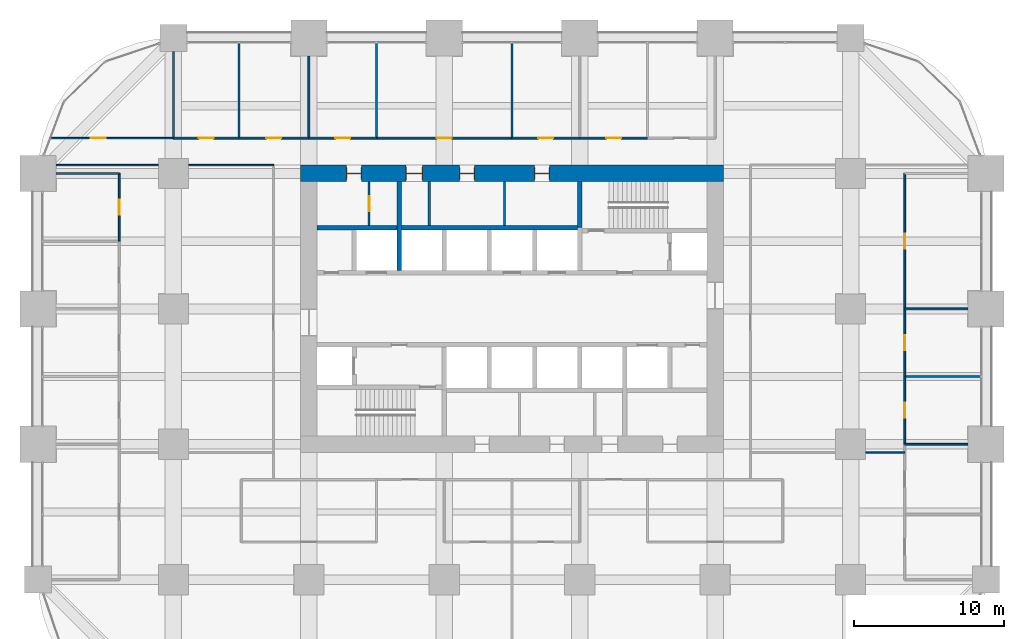
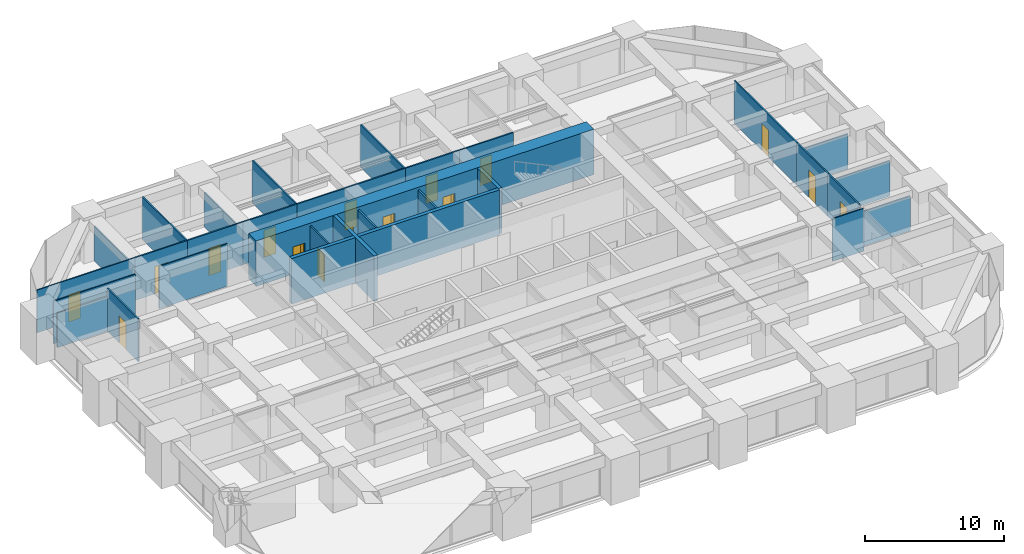
# One storey, part 38 of 41: 30 walls, 16 doors, 16 openings.
"""IFC4 building model written with IfcOpenShell, lengths in metres."""

from ifc_helpers import new_model, si_unit, direction, frame, frame_2d, origin, place, context, subcontext, project, spatial, rectangle, extrude, material, layer, layer_set, type_object, element, fill, save


model = new_model("IFC4")

# Units and contexts
model_context = context("Model", 3, precision=1e-05, world=origin(), true_north=direction((0.0, 1.0)))
body_context = subcontext(model_context, "Body", "Model", "MODEL_VIEW")
ifc_project = project(units=[si_unit("LENGTHUNIT", "METRE"), si_unit("AREAUNIT", "SQUARE_METRE"), si_unit("VOLUMEUNIT", "CUBIC_METRE"), si_unit("PLANEANGLEUNIT", "RADIAN"), si_unit("MASSUNIT", "GRAM", prefix="KILO")], contexts=[model_context])

# Site, building, storey
site_placement = place(None, origin())
site = spatial("IfcSite", under=ifc_project, at=site_placement, CompositionType="ELEMENT")
building_placement = place(site_placement, origin())
building = spatial("IfcBuilding", under=site, at=building_placement, Name="Zorevar Civic Tower", CompositionType="ELEMENT")
storey_placement = place(building_placement, frame((0.0, 0.0, 109.0)))
storey = spatial("IfcBuildingStorey", under=building, at=storey_placement, Name="L26", CompositionType="ELEMENT", Elevation=109.0)

# Wall, openings, doors
ifc_material_1 = material(Name="Concrete C50/60", Category="concrete")
ifc_layer_1 = layer(ifc_material_1, 1.10009765625)
ifc_layer_set_1 = layer_set([ifc_layer_1], Name="Core wall 1100")
wall_type_1 = type_object("IfcWallType", Name="Core wall 1100", PredefinedType="SHEAR", material=ifc_layer_set_1)
wall_1_placement = place(storey_placement, frame((45.550048828125, 36.0, 0.0), z_axis=(0.0, 0.0, 1.0), x_axis=(-1.0, 0.0, 0.0)))
wall_1 = element("IfcWall", 1, at=wall_1_placement, inside=storey, type_object=wall_type_1, Name="Core wall N L26", PredefinedType="SHEAR", context=body_context, shape_type="SweptSolid", body=[
    extrude(rectangle(XDim=28.10009765625, YDim=1.10009765625, at=frame_2d((14.050048828125, 0.0))), origin(), (0.0, 0.0, 1.0), 4.0),
])
opening_1_placement = place(wall_1_placement, frame((11.550048828125, 0.0, 0.0)))
opening_1 = element("IfcOpeningElement", 2, at=opening_1_placement, cuts=wall_1, Name="Opening L26.07", PredefinedType="OPENING", context=body_context, shape_type="SweptSolid", body=[
    extrude(rectangle(XDim=1.0, YDim=2.39990234375, at=frame_2d((0.5, 1.199951171875))), frame((0.0, 0.56005859375, 0.0), z_axis=(0.0, -1.0, 0.0), x_axis=(1.0, 0.0, 0.0)), (0.0, 0.0, 1.0), 1.1201171875),
])
opening_2_placement = place(wall_1_placement, frame((16.550048828125, 0.0, 0.0)))
opening_2 = element("IfcOpeningElement", 3, at=opening_2_placement, cuts=wall_1, Name="Opening L26.08", PredefinedType="OPENING", context=body_context, shape_type="SweptSolid", body=[
    extrude(rectangle(XDim=1.0, YDim=2.39990234375, at=frame_2d((0.5, 1.199951171875))), frame((0.0, 0.56005859375, 0.0), z_axis=(0.0, -1.0, 0.0), x_axis=(1.0, 0.0, 0.0)), (0.0, 0.0, 1.0), 1.1201171875),
])
opening_3_placement = place(wall_1_placement, frame((20.0, 0.0, 0.0)))
opening_3 = element("IfcOpeningElement", 4, at=opening_3_placement, cuts=wall_1, Name="Opening L26.09", PredefinedType="OPENING", context=body_context, shape_type="SweptSolid", body=[
    extrude(rectangle(XDim=1.10009765625, YDim=2.39990234375, at=frame_2d((0.550048828125, 1.199951171875))), frame((0.0, 0.56005859375, 0.0), z_axis=(0.0, -1.0, 0.0), x_axis=(1.0, 0.0, 0.0)), (0.0, 0.0, 1.0), 1.1201171875),
])
opening_4_placement = place(wall_1_placement, frame((24.050048828125, 0.0, 0.0)))
opening_4 = element("IfcOpeningElement", 5, at=opening_4_placement, cuts=wall_1, Name="Opening L26.10", PredefinedType="OPENING", context=body_context, shape_type="SweptSolid", body=[
    extrude(rectangle(XDim=1.0, YDim=2.39990234375, at=frame_2d((0.5, 1.199951171875))), frame((0.0, 0.56005859375, 0.0), z_axis=(0.0, -1.0, 0.0), x_axis=(1.0, 0.0, 0.0)), (0.0, 0.0, 1.0), 1.1201171875),
])
ifc_material_2 = material(Name="Timber door set", Category="wood")
door_type_1 = type_object("IfcDoorType", Name="Door D1 1000x2400", OperationType="SINGLE_SWING_LEFT", PredefinedType="DOOR", material=ifc_material_2)
door_1_placement = place(opening_1_placement, origin())
door_1 = element("IfcDoor", 6, at=door_1_placement, inside=storey, type_object=door_type_1, Name="Door L26 06", OperationType="SINGLE_SWING_LEFT", OverallHeight=2.39990234375, OverallWidth=1.0, PredefinedType="DOOR", context=body_context, shape_type="SweptSolid", body=[
    extrude(rectangle(XDim=1.0, YDim=2.39990234375, at=frame_2d((0.5, 1.199951171875))), frame((0.0, 0.02490234375, 0.0), z_axis=(0.0, -1.0, 0.0), x_axis=(1.0, 0.0, 0.0)), (0.0, 0.0, 1.0), 0.050048828125),
    extrude(rectangle(XDim=0.04, YDim=2.39990234375, at=frame_2d((0.02001953125, 1.199951171875))), frame((0.0, 0.39990234375, 0.0), z_axis=(0.0, -1.0, 0.0), x_axis=(1.0, 0.0, 0.0)), (0.0, 0.0, 1.0), 0.800048828125),
    extrude(rectangle(XDim=0.04, YDim=2.39990234375, at=frame_2d((0.97998046875, 1.199951171875))), frame((0.0, 0.39990234375, 0.0), z_axis=(0.0, -1.0, 0.0), x_axis=(1.0, 0.0, 0.0)), (0.0, 0.0, 1.0), 0.800048828125),
    extrude(rectangle(XDim=1.0, YDim=0.04, at=frame_2d((0.5, 2.3798828125))), frame((0.0, 0.39990234375, 0.0), z_axis=(0.0, -1.0, 0.0), x_axis=(1.0, 0.0, 0.0)), (0.0, 0.0, 1.0), 0.800048828125),
])
fill(opening_1, door_1)
door_2_placement = place(opening_2_placement, origin())
door_2 = element("IfcDoor", 7, at=door_2_placement, inside=storey, type_object=door_type_1, Name="Door L26 07", OperationType="SINGLE_SWING_RIGHT", OverallHeight=2.39990234375, OverallWidth=1.0, PredefinedType="DOOR", context=body_context, shape_type="SweptSolid", body=[
    extrude(rectangle(XDim=1.0, YDim=2.39990234375, at=frame_2d((0.5, 1.199951171875))), frame((0.0, 0.02490234375, 0.0), z_axis=(0.0, -1.0, 0.0), x_axis=(1.0, 0.0, 0.0)), (0.0, 0.0, 1.0), 0.050048828125),
    extrude(rectangle(XDim=0.04, YDim=2.39990234375, at=frame_2d((0.02001953125, 1.199951171875))), frame((0.0, 0.39990234375, 0.0), z_axis=(0.0, -1.0, 0.0), x_axis=(1.0, 0.0, 0.0)), (0.0, 0.0, 1.0), 0.800048828125),
    extrude(rectangle(XDim=0.04, YDim=2.39990234375, at=frame_2d((0.97998046875, 1.199951171875))), frame((0.0, 0.39990234375, 0.0), z_axis=(0.0, -1.0, 0.0), x_axis=(1.0, 0.0, 0.0)), (0.0, 0.0, 1.0), 0.800048828125),
    extrude(rectangle(XDim=1.0, YDim=0.04, at=frame_2d((0.5, 2.3798828125))), frame((0.0, 0.39990234375, 0.0), z_axis=(0.0, -1.0, 0.0), x_axis=(1.0, 0.0, 0.0)), (0.0, 0.0, 1.0), 0.800048828125),
])
fill(opening_2, door_2)
door_3_placement = place(opening_4_placement, origin())
door_3 = element("IfcDoor", 8, at=door_3_placement, inside=storey, type_object=door_type_1, Name="Door L26 09", OperationType="SINGLE_SWING_RIGHT", OverallHeight=2.39990234375, OverallWidth=1.0, PredefinedType="DOOR", context=body_context, shape_type="SweptSolid", body=[
    extrude(rectangle(XDim=1.0, YDim=2.39990234375, at=frame_2d((0.5, 1.199951171875))), frame((0.0, 0.02490234375, 0.0), z_axis=(0.0, -1.0, 0.0), x_axis=(1.0, 0.0, 0.0)), (0.0, 0.0, 1.0), 0.050048828125),
    extrude(rectangle(XDim=0.04, YDim=2.39990234375, at=frame_2d((0.02001953125, 1.199951171875))), frame((0.0, 0.39990234375, 0.0), z_axis=(0.0, -1.0, 0.0), x_axis=(1.0, 0.0, 0.0)), (0.0, 0.0, 1.0), 0.800048828125),
    extrude(rectangle(XDim=0.04, YDim=2.39990234375, at=frame_2d((0.97998046875, 1.199951171875))), frame((0.0, 0.39990234375, 0.0), z_axis=(0.0, -1.0, 0.0), x_axis=(1.0, 0.0, 0.0)), (0.0, 0.0, 1.0), 0.800048828125),
    extrude(rectangle(XDim=1.0, YDim=0.04, at=frame_2d((0.5, 2.3798828125))), frame((0.0, 0.39990234375, 0.0), z_axis=(0.0, -1.0, 0.0), x_axis=(1.0, 0.0, 0.0)), (0.0, 0.0, 1.0), 0.800048828125),
])
fill(opening_4, door_3)
ifc_material_3 = material(Name="Timber door set", Category="wood")
door_type_2 = type_object("IfcDoorType", Name="Door D5 1100x2400", OperationType="SINGLE_SWING_LEFT", PredefinedType="DOOR", material=ifc_material_3)
door_4_placement = place(opening_3_placement, origin())
door_4 = element("IfcDoor", 9, at=door_4_placement, inside=storey, type_object=door_type_2, Name="Door L26 08", OperationType="SINGLE_SWING_RIGHT", OverallHeight=2.39990234375, OverallWidth=1.10009765625, PredefinedType="DOOR", context=body_context, shape_type="SweptSolid", body=[
    extrude(rectangle(XDim=1.10009765625, YDim=2.39990234375, at=frame_2d((0.550048828125, 1.199951171875))), frame((0.0, 0.02490234375, 0.0), z_axis=(0.0, -1.0, 0.0), x_axis=(1.0, 0.0, 0.0)), (0.0, 0.0, 1.0), 0.050048828125),
    extrude(rectangle(XDim=0.04, YDim=2.39990234375, at=frame_2d((0.02001953125, 1.199951171875))), frame((0.0, 0.43994140625, 0.0), z_axis=(0.0, -1.0, 0.0), x_axis=(1.0, 0.0, 0.0)), (0.0, 0.0, 1.0), 0.880126953125),
    extrude(rectangle(XDim=0.04, YDim=2.39990234375, at=frame_2d((1.080078125, 1.199951171875))), frame((0.0, 0.43994140625, 0.0), z_axis=(0.0, -1.0, 0.0), x_axis=(1.0, 0.0, 0.0)), (0.0, 0.0, 1.0), 0.880126953125),
    extrude(rectangle(XDim=1.10009765625, YDim=0.04, at=frame_2d((0.550048828125, 2.3798828125))), frame((0.0, 0.43994140625, 0.0), z_axis=(0.0, -1.0, 0.0), x_axis=(1.0, 0.0, 0.0)), (0.0, 0.0, 1.0), 0.880126953125),
])
fill(opening_3, door_4)

# Walls
ifc_material_4 = material(Name="Laminated glass in black aluminium frame", Category="aluminium")
ifc_layer_2 = layer(ifc_material_4, 0.10009765625)
ifc_layer_set_2 = layer_set([ifc_layer_2], Name="Glazed partition 100")
wall_type_2 = type_object("IfcWallType", Name="Glazed partition 100", PredefinedType="PARTITIONING", material=ifc_layer_set_2)
wall_2_placement = place(storey_placement, frame((55.0, 17.449951171875, 0.0), z_axis=(0.0, 0.0, 1.0), x_axis=(1.0, 0.0, 0.0)))
element("IfcWall", 10, at=wall_2_placement, inside=storey, type_object=wall_type_2, Name="Glazed partition 100 L26", PredefinedType="PARTITIONING", context=body_context, shape_type="SweptSolid", body=[
    extrude(rectangle(XDim=2.610107421875, YDim=0.10009765625, at=frame_2d((1.30517578125, 0.0))), origin(), (0.0, 0.0, 1.0), 3.75),
])
wall_3_placement = place(storey_placement, frame((1.199951171875, 36.550048828125, 0.0), z_axis=(0.0, 0.0, 1.0), x_axis=(1.0, 0.0, 0.0)))
element("IfcWall", 11, at=wall_3_placement, inside=storey, type_object=wall_type_2, Name="Glazed partition 100 L26", PredefinedType="PARTITIONING", context=body_context, shape_type="SweptSolid", body=[
    extrude(rectangle(XDim=6.800048828125, YDim=0.10009765625, at=frame_2d((3.39990234375, 0.0))), origin(), (0.0, 0.0, 1.0), 3.75),
])
wall_4_placement = place(storey_placement, frame((10.0, 36.550048828125, 0.0), z_axis=(0.0, 0.0, 1.0), x_axis=(1.0, 0.0, 0.0)))
element("IfcWall", 12, at=wall_4_placement, inside=storey, type_object=wall_type_2, Name="Glazed partition 100 L26", PredefinedType="PARTITIONING", context=body_context, shape_type="SweptSolid", body=[
    extrude(rectangle(XDim=5.64990234375, YDim=0.10009765625, at=frame_2d((2.824951171875, 0.0))), origin(), (0.0, 0.0, 1.0), 3.75),
])

# Wall, opening, door
wall_5_placement = place(storey_placement, frame((0.851806640625, 38.35009765625, 0.0), z_axis=(0.0, 0.0, 1.0), x_axis=(1.0, 0.0, 0.0)))
wall_5 = element("IfcWall", 13, at=wall_5_placement, inside=storey, type_object=wall_type_2, Name="Glazed partition 100 L26", PredefinedType="PARTITIONING", context=body_context, shape_type="SweptSolid", body=[
    extrude(rectangle(XDim=8.148193359375, YDim=0.10009765625, at=frame_2d((4.07421875, 0.0))), origin(), (0.0, 0.0, 1.0), 3.75),
])
opening_5_placement = place(wall_5_placement, frame((2.648193359375, 0.0, 0.0)))
opening_5 = element("IfcOpeningElement", 14, at=opening_5_placement, cuts=wall_5, Name="Opening L26.30", PredefinedType="OPENING", context=body_context, shape_type="SweptSolid", body=[
    extrude(rectangle(XDim=1.0, YDim=2.39990234375, at=frame_2d((0.5, 1.199951171875))), frame((0.0, 0.06005859375, 0.0), z_axis=(0.0, -1.0, 0.0), x_axis=(1.0, 0.0, 0.0)), (0.0, 0.0, 1.0), 0.1201171875),
])
ifc_material_5 = material(Name="Timber door set", Category="wood")
door_type_3 = type_object("IfcDoorType", Name="Glazed door GD1 1000x2400", OperationType="SINGLE_SWING_LEFT", PredefinedType="DOOR", material=ifc_material_5)
door_5_placement = place(opening_5_placement, origin())
door_5 = element("IfcDoor", 15, at=door_5_placement, inside=storey, type_object=door_type_3, Name="Door L26 D1", OperationType="SINGLE_SWING_LEFT", OverallHeight=2.39990234375, OverallWidth=1.0, PredefinedType="DOOR", context=body_context, shape_type="SweptSolid", body=[
    extrude(rectangle(XDim=1.0, YDim=2.39990234375, at=frame_2d((0.5, 1.199951171875))), frame((0.0, 0.02001953125, 0.0), z_axis=(0.0, -1.0, 0.0), x_axis=(1.0, 0.0, 0.0)), (0.0, 0.0, 1.0), 0.0400390625),
])
fill(opening_5, door_5)

# Walls
ifc_material_6 = material(Name="Concrete C40/50", Category="concrete")
ifc_layer_3 = layer(ifc_material_6, 0.300048828125)
ifc_layer_set_3 = layer_set([ifc_layer_3], Name="Inner core wall 300")
wall_type_3 = type_object("IfcWallType", Name="Inner core wall 300", PredefinedType="SHEAR", material=ifc_layer_set_3)
wall_6_placement = place(storey_placement, frame((36.0, 32.39990234375, 0.0), z_axis=(0.0, 0.0, 1.0), x_axis=(0.0, 1.0, 0.0)))
element("IfcWall", 16, at=wall_6_placement, inside=storey, type_object=wall_type_3, Name="Inner core wall N01 L26", PredefinedType="SHEAR", context=body_context, shape_type="SweptSolid", body=[
    extrude(rectangle(XDim=3.050048828125, YDim=0.300048828125, at=frame_2d((1.52490234375, 0.0))), origin(), (0.0, 0.0, 1.0), 4.0),
])
wall_7_placement = place(storey_placement, frame((18.550048828125, 32.39990234375, 0.0), z_axis=(0.0, 0.0, 1.0), x_axis=(1.0, 0.0, 0.0)))
element("IfcWall", 17, at=wall_7_placement, inside=storey, type_object=wall_type_3, Name="Inner core wall N04 L26", PredefinedType="SHEAR", context=body_context, shape_type="SweptSolid", body=[
    extrude(rectangle(XDim=17.300048828125, YDim=0.300048828125, at=frame_2d((8.64990234375, 0.0))), origin(), (0.0, 0.0, 1.0), 4.0),
])
wall_8_placement = place(storey_placement, frame((24.0, 29.550048828125, 0.0), z_axis=(0.0, 0.0, 1.0), x_axis=(0.0, 1.0, 0.0)))
element("IfcWall", 18, at=wall_8_placement, inside=storey, type_object=wall_type_3, Name="Inner core wall N08 L26", PredefinedType="SHEAR", context=body_context, shape_type="SweptSolid", body=[
    extrude(rectangle(XDim=5.89990234375, YDim=0.300048828125, at=frame_2d((2.949951171875, 0.0))), origin(), (0.0, 0.0, 1.0), 4.0),
])
ifc_material_7 = material(Name="Gypsum board on steel studs", Category="steel")
ifc_layer_4 = layer(ifc_material_7, 0.1201171875)
ifc_layer_set_4 = layer_set([ifc_layer_4], Name="Partition 120")
wall_type_4 = type_object("IfcWallType", Name="Partition 120", PredefinedType="PARTITIONING", material=ifc_layer_set_4)
wall_9_placement = place(storey_placement, frame((57.60009765625, 18.0, 0.0), z_axis=(0.0, 0.0, 1.0), x_axis=(1.0, 0.0, 0.0)))
element("IfcWall", 19, at=wall_9_placement, inside=storey, type_object=wall_type_4, Name="Partition 120 L26", PredefinedType="PARTITIONING", context=body_context, shape_type="SweptSolid", body=[
    extrude(rectangle(XDim=4.199951171875, YDim=0.1201171875, at=frame_2d((2.10009765625, 0.0))), origin(), (0.0, 0.0, 1.0), 3.050048828125),
])
wall_10_placement = place(storey_placement, frame((57.60009765625, 22.5, 0.0), z_axis=(0.0, 0.0, 1.0), x_axis=(1.0, 0.0, 0.0)))
element("IfcWall", 20, at=wall_10_placement, inside=storey, type_object=wall_type_4, Name="Partition 120 L26", PredefinedType="PARTITIONING", context=body_context, shape_type="SweptSolid", body=[
    extrude(rectangle(XDim=5.08984375, YDim=0.1201171875, at=frame_2d((2.544921875, 0.0))), origin(), (0.0, 0.0, 1.0), 3.10009765625),
])
for number, where, z_axis, x_axis, name in (
    (21, (57.60009765625, 27.0, 0.0), (0.0, 0.0, 1.0), (1.0, 0.0, 0.0), "Partition 120 L26"),
    (22, (1.199951171875, 36.0, 0.0), (0.0, 0.0, 1.0), (1.0, 0.0, 0.0), "Partition 120 L26"),
):
    element("IfcWall", number, at=place(storey_placement, frame(where, z_axis=z_axis, x_axis=x_axis)), inside=storey, type_object=wall_type_4, Name=name, PredefinedType="PARTITIONING", context=body_context, shape_type="SweptSolid", body=[
        extrude(rectangle(XDim=4.199951171875, YDim=0.1201171875, at=frame_2d((2.10009765625, 0.0))), origin(), (0.0, 0.0, 1.0), 3.050048828125),
    ])

# Wall, opening, door
wall_11_placement = place(storey_placement, frame((9.0, 38.35009765625, 0.0), z_axis=(0.0, 0.0, 1.0), x_axis=(1.0, 0.0, 0.0)))
wall_11 = element("IfcWall", 23, at=wall_11_placement, inside=storey, type_object=wall_type_4, Name="Partition 120 L26", PredefinedType="PARTITIONING", context=body_context, shape_type="SweptSolid", body=[
    extrude(rectangle(XDim=4.35009765625, YDim=0.1201171875, at=frame_2d((2.175048828125, 0.0))), origin(), (0.0, 0.0, 1.0), 3.75),
])
opening_6_placement = place(wall_11_placement, frame((1.675048828125, 0.0, 0.0)))
opening_6 = element("IfcOpeningElement", 24, at=opening_6_placement, cuts=wall_11, Name="Opening L26.23", PredefinedType="OPENING", context=body_context, shape_type="SweptSolid", body=[
    extrude(rectangle(XDim=1.0, YDim=2.39990234375, at=frame_2d((0.5, 1.199951171875))), frame((0.0, 0.070068359375, 0.0), z_axis=(0.0, -1.0, 0.0), x_axis=(1.0, 0.0, 0.0)), (0.0, 0.0, 1.0), 0.14013671875),
])
door_6_placement = place(opening_6_placement, origin())
door_6 = element("IfcDoor", 25, at=door_6_placement, inside=storey, type_object=door_type_1, Name="Door L26 D1", OperationType="SINGLE_SWING_LEFT", OverallHeight=2.39990234375, OverallWidth=1.0, PredefinedType="DOOR", context=body_context, shape_type="SweptSolid", body=[
    extrude(rectangle(XDim=1.0, YDim=2.39990234375, at=frame_2d((0.5, 1.199951171875))), frame((0.0, 0.02490234375, 0.0), z_axis=(0.0, -1.0, 0.0), x_axis=(1.0, 0.0, 0.0)), (0.0, 0.0, 1.0), 0.050048828125),
])
fill(opening_6, door_6)

wall_12_placement = place(storey_placement, frame((13.35009765625, 38.35009765625, 0.0), z_axis=(0.0, 0.0, 1.0), x_axis=(1.0, 0.0, 0.0)))
wall_12 = element("IfcWall", 26, at=wall_12_placement, inside=storey, type_object=wall_type_4, Name="Partition 120 L26", PredefinedType="PARTITIONING", context=body_context, shape_type="SweptSolid", body=[
    extrude(rectangle(XDim=4.64990234375, YDim=0.1201171875, at=frame_2d((2.324951171875, 0.0))), origin(), (0.0, 0.0, 1.0), 3.75),
])
opening_7_placement = place(wall_12_placement, frame((1.824951171875, 0.0, 0.0)))
opening_7 = element("IfcOpeningElement", 27, at=opening_7_placement, cuts=wall_12, Name="Opening L26.24", PredefinedType="OPENING", context=body_context, shape_type="SweptSolid", body=[
    extrude(rectangle(XDim=1.0, YDim=2.39990234375, at=frame_2d((0.5, 1.199951171875))), frame((0.0, 0.070068359375, 0.0), z_axis=(0.0, -1.0, 0.0), x_axis=(1.0, 0.0, 0.0)), (0.0, 0.0, 1.0), 0.14013671875),
])
door_7_placement = place(opening_7_placement, origin())
door_7 = element("IfcDoor", 28, at=door_7_placement, inside=storey, type_object=door_type_1, Name="Door L26 D1", OperationType="SINGLE_SWING_LEFT", OverallHeight=2.39990234375, OverallWidth=1.0, PredefinedType="DOOR", context=body_context, shape_type="SweptSolid", body=[
    extrude(rectangle(XDim=1.0, YDim=2.39990234375, at=frame_2d((0.5, 1.199951171875))), frame((0.0, 0.02490234375, 0.0), z_axis=(0.0, -1.0, 0.0), x_axis=(1.0, 0.0, 0.0)), (0.0, 0.0, 1.0), 0.050048828125),
])
fill(opening_7, door_7)

wall_13_placement = place(storey_placement, frame((18.0, 38.35009765625, 0.0), z_axis=(0.0, 0.0, 1.0), x_axis=(1.0, 0.0, 0.0)))
wall_13 = element("IfcWall", 29, at=wall_13_placement, inside=storey, type_object=wall_type_4, Name="Partition 120 L26", PredefinedType="PARTITIONING", context=body_context, shape_type="SweptSolid", body=[
    extrude(rectangle(XDim=4.5, YDim=0.1201171875, at=frame_2d((2.25, 0.0))), origin(), (0.0, 0.0, 1.0), 3.75),
])
opening_8_placement = place(wall_13_placement, frame((1.75, 0.0, 0.0)))
opening_8 = element("IfcOpeningElement", 30, at=opening_8_placement, cuts=wall_13, Name="Opening L26.25", PredefinedType="OPENING", context=body_context, shape_type="SweptSolid", body=[
    extrude(rectangle(XDim=1.0, YDim=2.39990234375, at=frame_2d((0.5, 1.199951171875))), frame((0.0, 0.070068359375, 0.0), z_axis=(0.0, -1.0, 0.0), x_axis=(1.0, 0.0, 0.0)), (0.0, 0.0, 1.0), 0.14013671875),
])
door_8_placement = place(opening_8_placement, origin())
door_8 = element("IfcDoor", 31, at=door_8_placement, inside=storey, type_object=door_type_1, Name="Door L26 D1", OperationType="SINGLE_SWING_LEFT", OverallHeight=2.39990234375, OverallWidth=1.0, PredefinedType="DOOR", context=body_context, shape_type="SweptSolid", body=[
    extrude(rectangle(XDim=1.0, YDim=2.39990234375, at=frame_2d((0.5, 1.199951171875))), frame((0.0, 0.02490234375, 0.0), z_axis=(0.0, -1.0, 0.0), x_axis=(1.0, 0.0, 0.0)), (0.0, 0.0, 1.0), 0.050048828125),
])
fill(opening_8, door_8)

wall_14_placement = place(storey_placement, frame((22.5, 38.35009765625, 0.0), z_axis=(0.0, 0.0, 1.0), x_axis=(1.0, 0.0, 0.0)))
wall_14 = element("IfcWall", 32, at=wall_14_placement, inside=storey, type_object=wall_type_4, Name="Partition 120 L26", PredefinedType="PARTITIONING", context=body_context, shape_type="SweptSolid", body=[
    extrude(rectangle(XDim=9.0, YDim=0.1201171875, at=frame_2d((4.5, 0.0))), origin(), (0.0, 0.0, 1.0), 3.75),
])
opening_9_placement = place(wall_14_placement, frame((4.0, 0.0, 0.0)))
opening_9 = element("IfcOpeningElement", 33, at=opening_9_placement, cuts=wall_14, Name="Opening L26.26", PredefinedType="OPENING", context=body_context, shape_type="SweptSolid", body=[
    extrude(rectangle(XDim=1.0, YDim=2.39990234375, at=frame_2d((0.5, 1.199951171875))), frame((0.0, 0.070068359375, 0.0), z_axis=(0.0, -1.0, 0.0), x_axis=(1.0, 0.0, 0.0)), (0.0, 0.0, 1.0), 0.14013671875),
])
door_9_placement = place(opening_9_placement, origin())
door_9 = element("IfcDoor", 34, at=door_9_placement, inside=storey, type_object=door_type_1, Name="Door L26 D1", OperationType="SINGLE_SWING_LEFT", OverallHeight=2.39990234375, OverallWidth=1.0, PredefinedType="DOOR", context=body_context, shape_type="SweptSolid", body=[
    extrude(rectangle(XDim=1.0, YDim=2.39990234375, at=frame_2d((0.5, 1.199951171875))), frame((0.0, 0.02490234375, 0.0), z_axis=(0.0, -1.0, 0.0), x_axis=(1.0, 0.0, 0.0)), (0.0, 0.0, 1.0), 0.050048828125),
])
fill(opening_9, door_9)

wall_15_placement = place(storey_placement, frame((31.5, 38.35009765625, 0.0), z_axis=(0.0, 0.0, 1.0), x_axis=(1.0, 0.0, 0.0)))
wall_15 = element("IfcWall", 35, at=wall_15_placement, inside=storey, type_object=wall_type_4, Name="Partition 120 L26", PredefinedType="PARTITIONING", context=body_context, shape_type="SweptSolid", body=[
    extrude(rectangle(XDim=4.5, YDim=0.1201171875, at=frame_2d((2.25, 0.0))), origin(), (0.0, 0.0, 1.0), 3.75),
])
opening_10_placement = place(wall_15_placement, frame((1.75, 0.0, 0.0)))
opening_10 = element("IfcOpeningElement", 36, at=opening_10_placement, cuts=wall_15, Name="Opening L26.27", PredefinedType="OPENING", context=body_context, shape_type="SweptSolid", body=[
    extrude(rectangle(XDim=1.0, YDim=2.39990234375, at=frame_2d((0.5, 1.199951171875))), frame((0.0, 0.070068359375, 0.0), z_axis=(0.0, -1.0, 0.0), x_axis=(1.0, 0.0, 0.0)), (0.0, 0.0, 1.0), 0.14013671875),
])
door_10_placement = place(opening_10_placement, origin())
door_10 = element("IfcDoor", 37, at=door_10_placement, inside=storey, type_object=door_type_1, Name="Door L26 D1", OperationType="SINGLE_SWING_RIGHT", OverallHeight=2.39990234375, OverallWidth=1.0, PredefinedType="DOOR", context=body_context, shape_type="SweptSolid", body=[
    extrude(rectangle(XDim=1.0, YDim=2.39990234375, at=frame_2d((0.5, 1.199951171875))), frame((0.0, 0.02490234375, 0.0), z_axis=(0.0, -1.0, 0.0), x_axis=(1.0, 0.0, 0.0)), (0.0, 0.0, 1.0), 0.050048828125),
])
fill(opening_10, door_10)

wall_16_placement = place(storey_placement, frame((36.0, 38.35009765625, 0.0), z_axis=(0.0, 0.0, 1.0), x_axis=(1.0, 0.0, 0.0)))
wall_16 = element("IfcWall", 38, at=wall_16_placement, inside=storey, type_object=wall_type_4, Name="Partition 120 L26", PredefinedType="PARTITIONING", context=body_context, shape_type="SweptSolid", body=[
    extrude(rectangle(XDim=4.5, YDim=0.1201171875, at=frame_2d((2.25, 0.0))), origin(), (0.0, 0.0, 1.0), 3.75),
])
opening_11_placement = place(wall_16_placement, frame((1.75, 0.0, 0.0)))
opening_11 = element("IfcOpeningElement", 39, at=opening_11_placement, cuts=wall_16, Name="Opening L26.28", PredefinedType="OPENING", context=body_context, shape_type="SweptSolid", body=[
    extrude(rectangle(XDim=1.0, YDim=2.39990234375, at=frame_2d((0.5, 1.199951171875))), frame((0.0, 0.070068359375, 0.0), z_axis=(0.0, -1.0, 0.0), x_axis=(1.0, 0.0, 0.0)), (0.0, 0.0, 1.0), 0.14013671875),
])
door_11_placement = place(opening_11_placement, origin())
door_11 = element("IfcDoor", 40, at=door_11_placement, inside=storey, type_object=door_type_1, Name="Door L26 D1", OperationType="SINGLE_SWING_RIGHT", OverallHeight=2.39990234375, OverallWidth=1.0, PredefinedType="DOOR", context=body_context, shape_type="SweptSolid", body=[
    extrude(rectangle(XDim=1.0, YDim=2.39990234375, at=frame_2d((0.5, 1.199951171875))), frame((0.0, 0.02490234375, 0.0), z_axis=(0.0, -1.0, 0.0), x_axis=(1.0, 0.0, 0.0)), (0.0, 0.0, 1.0), 0.050048828125),
])
fill(opening_11, door_11)

wall_17_placement = place(storey_placement, frame((5.39990234375, 31.5, 0.0), z_axis=(0.0, 0.0, 1.0), x_axis=(0.0, 1.0, 0.0)))
wall_17 = element("IfcWall", 41, at=wall_17_placement, inside=storey, type_object=wall_type_4, Name="Partition 120 L26", PredefinedType="PARTITIONING", context=body_context, shape_type="SweptSolid", body=[
    extrude(rectangle(XDim=4.5, YDim=0.1201171875, at=frame_2d((2.25, 0.0))), origin(), (0.0, 0.0, 1.0), 3.75),
])
opening_12_placement = place(wall_17_placement, frame((1.75, 0.0, 0.0)))
opening_12 = element("IfcOpeningElement", 42, at=opening_12_placement, cuts=wall_17, Name="Opening L26.35", PredefinedType="OPENING", context=body_context, shape_type="SweptSolid", body=[
    extrude(rectangle(XDim=1.0, YDim=2.39990234375, at=frame_2d((0.5, 1.199951171875))), frame((0.0, 0.070068359375, 0.0), z_axis=(0.0, -1.0, 0.0), x_axis=(1.0, 0.0, 0.0)), (0.0, 0.0, 1.0), 0.14013671875),
])
door_12_placement = place(opening_12_placement, origin())
door_12 = element("IfcDoor", 43, at=door_12_placement, inside=storey, type_object=door_type_1, Name="Door L26 D1", OperationType="SINGLE_SWING_RIGHT", OverallHeight=2.39990234375, OverallWidth=1.0, PredefinedType="DOOR", context=body_context, shape_type="SweptSolid", body=[
    extrude(rectangle(XDim=1.0, YDim=2.39990234375, at=frame_2d((0.5, 1.199951171875))), frame((0.0, 0.02490234375, 0.0), z_axis=(0.0, -1.0, 0.0), x_axis=(1.0, 0.0, 0.0)), (0.0, 0.0, 1.0), 0.050048828125),
])
fill(opening_12, door_12)

# Walls
wall_18_placement = place(storey_placement, frame((9.0, 38.35009765625, 0.0), z_axis=(0.0, 0.0, 1.0), x_axis=(0.0, 1.0, 0.0)))
element("IfcWall", 44, at=wall_18_placement, inside=storey, type_object=wall_type_4, Name="Partition 120 L26", PredefinedType="PARTITIONING", context=body_context, shape_type="SweptSolid", body=[
    extrude(rectangle(XDim=5.75, YDim=0.1201171875, at=frame_2d((2.875, 0.0))), origin(), (0.0, 0.0, 1.0), 3.050048828125),
])
wall_19_placement = place(storey_placement, frame((13.35009765625, 38.35009765625, 0.0), z_axis=(0.0, 0.0, 1.0), x_axis=(0.0, 1.0, 0.0)))
element("IfcWall", 45, at=wall_19_placement, inside=storey, type_object=wall_type_4, Name="Partition 120 L26", PredefinedType="PARTITIONING", context=body_context, shape_type="SweptSolid", body=[
    extrude(rectangle(XDim=6.33984375, YDim=0.1201171875, at=frame_2d((3.169921875, 0.0))), origin(), (0.0, 0.0, 1.0), 3.75),
])
wall_20_placement = place(storey_placement, frame((18.0, 38.35009765625, 0.0), z_axis=(0.0, 0.0, 1.0), x_axis=(0.0, 1.0, 0.0)))
element("IfcWall", 46, at=wall_20_placement, inside=storey, type_object=wall_type_4, Name="Partition 120 L26", PredefinedType="PARTITIONING", context=body_context, shape_type="SweptSolid", body=[
    extrude(rectangle(XDim=5.449951171875, YDim=0.1201171875, at=frame_2d((2.72509765625, 0.0))), origin(), (0.0, 0.0, 1.0), 3.050048828125),
])
for number, where, z_axis, x_axis, name in (
    (47, (22.5, 38.35009765625, 0.0), (0.0, 0.0, 1.0), (0.0, 1.0, 0.0), "Partition 120 L26"),
    (48, (31.5, 38.35009765625, 0.0), (0.0, 0.0, 1.0), (0.0, 1.0, 0.0), "Partition 120 L26"),
):
    element("IfcWall", number, at=place(storey_placement, frame(where, z_axis=z_axis, x_axis=x_axis)), inside=storey, type_object=wall_type_4, Name=name, PredefinedType="PARTITIONING", context=body_context, shape_type="SweptSolid", body=[
        extrude(rectangle(XDim=6.33984375, YDim=0.1201171875, at=frame_2d((3.169921875, 0.0))), origin(), (0.0, 0.0, 1.0), 3.75),
    ])

# Wall, opening, door
wall_21_placement = place(storey_placement, frame((57.60009765625, 18.0, 0.0), z_axis=(0.0, 0.0, 1.0), x_axis=(0.0, 1.0, 0.0)))
wall_21 = element("IfcWall", 49, at=wall_21_placement, inside=storey, type_object=wall_type_4, Name="Partition 120 L26", PredefinedType="PARTITIONING", context=body_context, shape_type="SweptSolid", body=[
    extrude(rectangle(XDim=4.5, YDim=0.1201171875, at=frame_2d((2.25, 0.0))), origin(), (0.0, 0.0, 1.0), 3.75),
])
opening_13_placement = place(wall_21_placement, frame((1.75, 0.0, 0.0)))
opening_13 = element("IfcOpeningElement", 50, at=opening_13_placement, cuts=wall_21, Name="Opening L26.40", PredefinedType="OPENING", context=body_context, shape_type="SweptSolid", body=[
    extrude(rectangle(XDim=1.0, YDim=2.39990234375, at=frame_2d((0.5, 1.199951171875))), frame((0.0, 0.070068359375, 0.0), z_axis=(0.0, -1.0, 0.0), x_axis=(1.0, 0.0, 0.0)), (0.0, 0.0, 1.0), 0.14013671875),
])
door_13_placement = place(opening_13_placement, origin())
door_13 = element("IfcDoor", 51, at=door_13_placement, inside=storey, type_object=door_type_1, Name="Door L26 D1", OperationType="SINGLE_SWING_RIGHT", OverallHeight=2.39990234375, OverallWidth=1.0, PredefinedType="DOOR", context=body_context, shape_type="SweptSolid", body=[
    extrude(rectangle(XDim=1.0, YDim=2.39990234375, at=frame_2d((0.5, 1.199951171875))), frame((0.0, 0.02490234375, 0.0), z_axis=(0.0, -1.0, 0.0), x_axis=(1.0, 0.0, 0.0)), (0.0, 0.0, 1.0), 0.050048828125),
])
fill(opening_13, door_13)

wall_22_placement = place(storey_placement, frame((57.60009765625, 22.5, 0.0), z_axis=(0.0, 0.0, 1.0), x_axis=(0.0, 1.0, 0.0)))
wall_22 = element("IfcWall", 52, at=wall_22_placement, inside=storey, type_object=wall_type_4, Name="Partition 120 L26", PredefinedType="PARTITIONING", context=body_context, shape_type="SweptSolid", body=[
    extrude(rectangle(XDim=4.5, YDim=0.1201171875, at=frame_2d((2.25, 0.0))), origin(), (0.0, 0.0, 1.0), 3.75),
])
opening_14_placement = place(wall_22_placement, frame((1.75, 0.0, 0.0)))
opening_14 = element("IfcOpeningElement", 53, at=opening_14_placement, cuts=wall_22, Name="Opening L26.41", PredefinedType="OPENING", context=body_context, shape_type="SweptSolid", body=[
    extrude(rectangle(XDim=1.0, YDim=2.39990234375, at=frame_2d((0.5, 1.199951171875))), frame((0.0, 0.070068359375, 0.0), z_axis=(0.0, -1.0, 0.0), x_axis=(1.0, 0.0, 0.0)), (0.0, 0.0, 1.0), 0.14013671875),
])
door_14_placement = place(opening_14_placement, origin())
door_14 = element("IfcDoor", 54, at=door_14_placement, inside=storey, type_object=door_type_1, Name="Door L26 D1", OperationType="SINGLE_SWING_RIGHT", OverallHeight=2.39990234375, OverallWidth=1.0, PredefinedType="DOOR", context=body_context, shape_type="SweptSolid", body=[
    extrude(rectangle(XDim=1.0, YDim=2.39990234375, at=frame_2d((0.5, 1.199951171875))), frame((0.0, 0.02490234375, 0.0), z_axis=(0.0, -1.0, 0.0), x_axis=(1.0, 0.0, 0.0)), (0.0, 0.0, 1.0), 0.050048828125),
])
fill(opening_14, door_14)

wall_23_placement = place(storey_placement, frame((57.60009765625, 27.0, 0.0), z_axis=(0.0, 0.0, 1.0), x_axis=(0.0, 1.0, 0.0)))
wall_23 = element("IfcWall", 55, at=wall_23_placement, inside=storey, type_object=wall_type_4, Name="Partition 120 L26", PredefinedType="PARTITIONING", context=body_context, shape_type="SweptSolid", body=[
    extrude(rectangle(XDim=9.0, YDim=0.1201171875, at=frame_2d((4.5, 0.0))), origin(), (0.0, 0.0, 1.0), 3.75),
])
opening_15_placement = place(wall_23_placement, frame((4.0, 0.0, 0.0)))
opening_15 = element("IfcOpeningElement", 56, at=opening_15_placement, cuts=wall_23, Name="Opening L26.42", PredefinedType="OPENING", context=body_context, shape_type="SweptSolid", body=[
    extrude(rectangle(XDim=1.0, YDim=2.39990234375, at=frame_2d((0.5, 1.199951171875))), frame((0.0, 0.070068359375, 0.0), z_axis=(0.0, -1.0, 0.0), x_axis=(1.0, 0.0, 0.0)), (0.0, 0.0, 1.0), 0.14013671875),
])
door_15_placement = place(opening_15_placement, origin())
door_15 = element("IfcDoor", 57, at=door_15_placement, inside=storey, type_object=door_type_1, Name="Door L26 D1", OperationType="SINGLE_SWING_LEFT", OverallHeight=2.39990234375, OverallWidth=1.0, PredefinedType="DOOR", context=body_context, shape_type="SweptSolid", body=[
    extrude(rectangle(XDim=1.0, YDim=2.39990234375, at=frame_2d((0.5, 1.199951171875))), frame((0.0, 0.02490234375, 0.0), z_axis=(0.0, -1.0, 0.0), x_axis=(1.0, 0.0, 0.0)), (0.0, 0.0, 1.0), 0.050048828125),
])
fill(opening_15, door_15)

wall_24_placement = place(storey_placement, frame((22.0, 32.550048828125, 0.0), z_axis=(0.0, 0.0, 1.0), x_axis=(0.0, 1.0, 0.0)))
wall_24 = element("IfcWall", 58, at=wall_24_placement, inside=storey, type_object=wall_type_4, Name="Partition L26", PredefinedType="PARTITIONING", context=body_context, shape_type="SweptSolid", body=[
    extrude(rectangle(XDim=2.89990234375, YDim=0.1201171875, at=frame_2d((1.449951171875, 0.0))), origin(), (0.0, 0.0, 1.0), 3.75),
])
opening_16_placement = place(wall_24_placement, frame((0.949951171875, 0.0, 0.0)))
opening_16 = element("IfcOpeningElement", 59, at=opening_16_placement, cuts=wall_24, Name="Opening L26.43", PredefinedType="OPENING", context=body_context, shape_type="SweptSolid", body=[
    extrude(rectangle(XDim=1.0, YDim=2.39990234375, at=frame_2d((0.5, 1.199951171875))), frame((0.0, 0.070068359375, 0.0), z_axis=(0.0, -1.0, 0.0), x_axis=(1.0, 0.0, 0.0)), (0.0, 0.0, 1.0), 0.14013671875),
])
ifc_material_8 = material(Name="Steel door set", Category="steel")
door_type_4 = type_object("IfcDoorType", Name="Fire door FD1 1000x2400", OperationType="SINGLE_SWING_LEFT", PredefinedType="DOOR", material=ifc_material_8)
door_16_placement = place(opening_16_placement, origin())
door_16 = element("IfcDoor", 60, at=door_16_placement, inside=storey, type_object=door_type_4, Name="Door L26 EN", OperationType="SINGLE_SWING_LEFT", OverallHeight=2.39990234375, OverallWidth=1.0, PredefinedType="DOOR", context=body_context, shape_type="SweptSolid", body=[
    extrude(rectangle(XDim=1.0, YDim=2.39990234375, at=frame_2d((0.5, 1.199951171875))), frame((0.0, 0.030029296875, 0.0), z_axis=(0.0, -1.0, 0.0), x_axis=(1.0, 0.0, 0.0)), (0.0, 0.0, 1.0), 0.06005859375),
])
fill(opening_16, door_16)

# Walls
ifc_material_9 = material(Name="Gypsum board on steel studs, moisture resistant", Category="steel")
ifc_layer_5 = layer(ifc_material_9, 0.14990234375)
ifc_layer_set_5 = layer_set([ifc_layer_5], Name="WC partition 150")
wall_type_5 = type_object("IfcWallType", Name="WC partition 150", PredefinedType="PARTITIONING", material=ifc_layer_set_5)
for number, where, z_axis, x_axis, name in (
    (61, (31.0, 32.550048828125, 0.0), (0.0, 0.0, 1.0), (0.0, 1.0, 0.0), "WC partition L26"),
    (62, (26.0, 32.550048828125, 0.0), (0.0, 0.0, 1.0), (0.0, 1.0, 0.0), "WC partition L26"),
):
    element("IfcWall", number, at=place(storey_placement, frame(where, z_axis=z_axis, x_axis=x_axis)), inside=storey, type_object=wall_type_5, Name=name, PredefinedType="PARTITIONING", context=body_context, shape_type="SweptSolid", body=[
        extrude(rectangle(XDim=2.89990234375, YDim=0.14990234375, at=frame_2d((1.449951171875, 0.0))), origin(), (0.0, 0.0, 1.0), 3.75),
    ])

save(model, "model.ifc")
